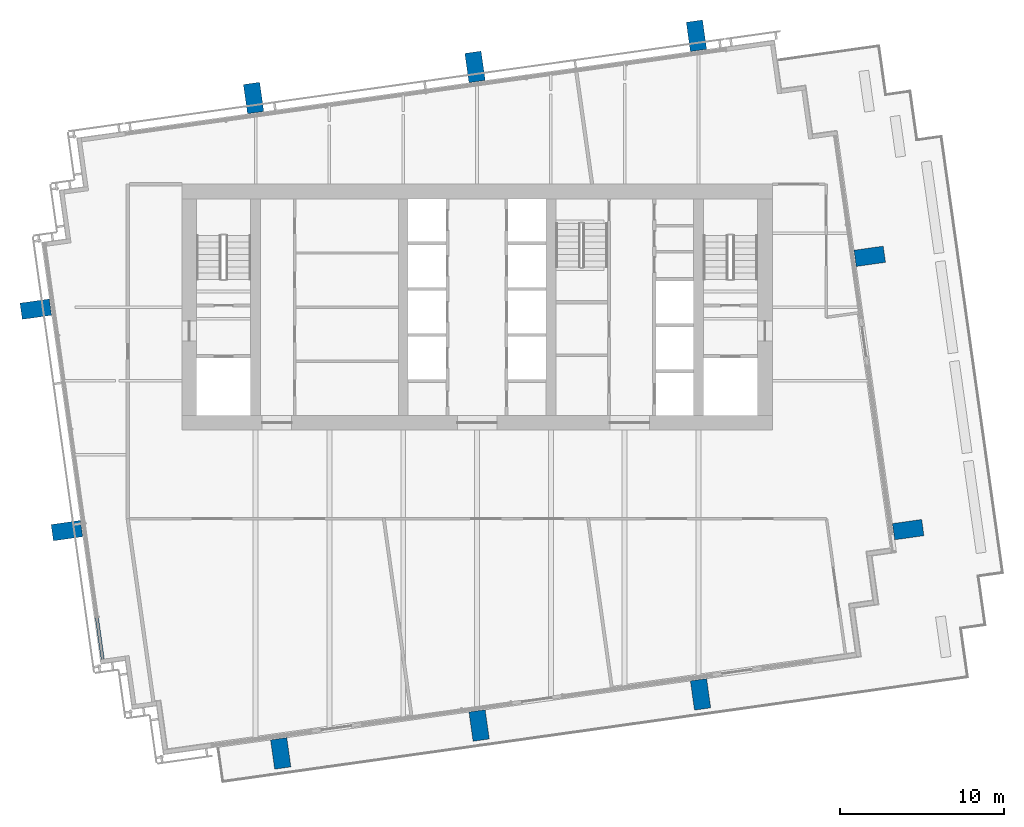
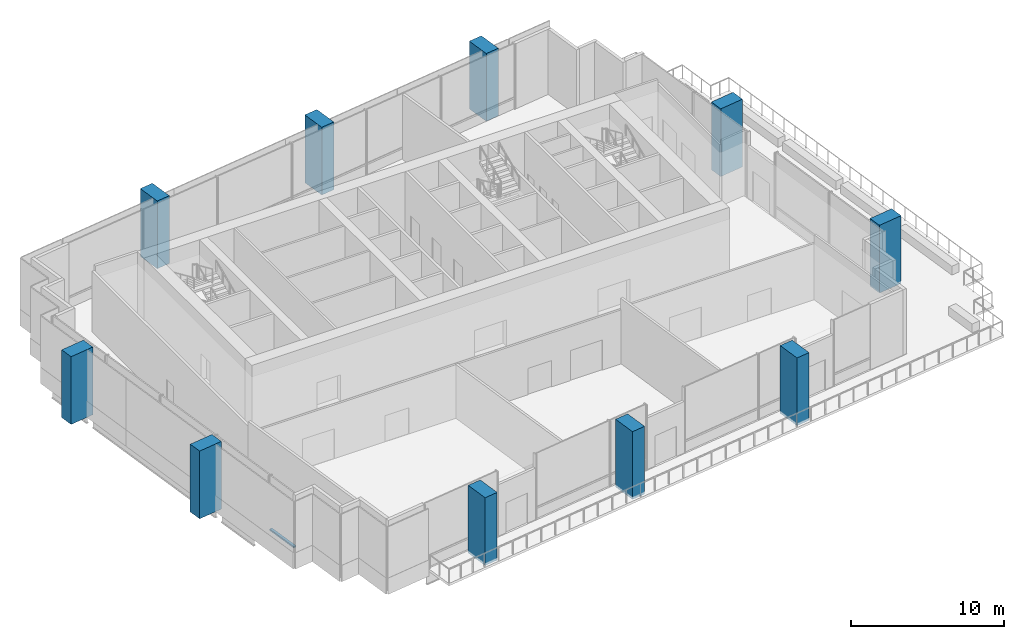
# One storey, part 1 of 14: 10 columns, 1 member, 1 element without a shape of its own.
"""IFC4 building model written with IfcOpenShell, lengths in metres."""

from ifc_helpers import new_model, si_unit, direction, frame, origin, origin_2d, place, context, subcontext, project, spatial, rectangle, extrude, material, layer, layer_set, material_profile, profile_set, type_object, element, aggregate, save


model = new_model("IFC4")

# Units and contexts
model_context = context("Model", 3, precision=1e-05, world=origin(), true_north=direction((0.0, 1.0)))
body_context = subcontext(model_context, "Body", "Model", "MODEL_VIEW")
ifc_project = project(units=[si_unit("LENGTHUNIT", "METRE"), si_unit("AREAUNIT", "SQUARE_METRE"), si_unit("VOLUMEUNIT", "CUBIC_METRE"), si_unit("PLANEANGLEUNIT", "RADIAN"), si_unit("MASSUNIT", "GRAM", prefix="KILO")], contexts=[model_context])

# Site, building, storey
site_placement = place(None, origin())
site = spatial("IfcSite", under=ifc_project, at=site_placement, CompositionType="ELEMENT")
building_placement = place(site_placement, origin())
building = spatial("IfcBuilding", under=site, at=building_placement, Name="Rattan Terrace Tower", CompositionType="ELEMENT")
storey_placement = place(building_placement, frame((0.0, 0.0, 249.699951171875)))
storey = spatial("IfcBuildingStorey", under=building, at=storey_placement, Name="L57", CompositionType="ELEMENT", Elevation=249.699951171875)

# Columns
ifc_material_1 = material(Name="Concrete C40/50", Category="concrete")
ifc_material_profile_1 = material_profile(ifc_material_1, rectangle(XDim=1.0, YDim=1.800048828125, at=origin_2d()), Name="CFT 1800x1000")
ifc_profile_set_1 = profile_set([ifc_material_profile_1], Name="Concrete C40/50")
column_type = type_object("IfcColumnType", Name="Frame exoskeleton column CFT 1800x1000", PredefinedType="COLUMN", material=ifc_profile_set_1)
for number, where, z_axis, x_axis, name in (
    (1, (-11.970947265625, -27.208984375, -0.199951171875), (0.0, 0.0, 1.0), (0.990265639562, 0.139190384377, 0.0), "exo-L57-001"),
    (2, (0.125, -25.508056640625, -0.199951171875), (0.0, 0.0, 1.0), (0.990265639562, 0.139190384377, 0.0), "exo-L57-002"),
    (3, (13.625, -23.610107421875, -0.199951171875), (0.0, 0.0, 1.0), (0.990265639562, 0.139190384377, 0.0), "exo-L57-003"),
    (4, (-25.007080078125, -13.625, -0.199951171875), (0.0, 0.0, 1.0), (-0.139190384377, 0.990265639562, 0.0), "exo-L57-004"),
    (5, (26.283935546875, -13.56494140625, -0.199951171875), (0.0, 0.0, 1.0), (-0.139190384377, 0.990265639562, 0.0), "exo-L57-005"),
    (6, (-26.906005859375, -0.125, -0.199951171875), (0.0, 0.0, 1.0), (-0.139190384377, 0.990265639562, 0.0), "exo-L57-006"),
    (7, (23.94091796875, 3.10009765625, -0.199951171875), (0.0, 0.0, 1.0), (-0.139190384377, 0.990265639562, 0.0), "exo-L57-007"),
    (8, (-13.625, 12.7509765625, -0.199951171875), (0.0, 0.0, 1.0), (0.990265639562, 0.139190384377, 0.0), "exo-L57-008"),
    (9, (-0.125, 14.64794921875, -0.199951171875), (0.0, 0.0, 1.0), (0.990265639562, 0.139190384377, 0.0), "exo-L57-009"),
    (10, (13.375, 16.5458984375, -0.199951171875), (0.0, 0.0, 1.0), (0.990265639562, 0.139190384377, 0.0), "exo-L57-010"),
):
    element("IfcColumn", number, at=place(storey_placement, frame(where, z_axis=z_axis, x_axis=x_axis)), inside=storey, type_object=column_type, Name=name, PredefinedType="COLUMN", context=body_context, shape_type="SweptSolid", body=[
        extrude(rectangle(XDim=1.0, YDim=1.800048828125, at=origin_2d()), origin(), (0.0, 0.0, 1.0), 5.39990234375),
    ])

# Curtain wall, member
ifc_material_2 = material(Name="Steel fins, aluminium and glass", Category="steel")
ifc_layer = layer(ifc_material_2, 0.300048828125)
ifc_layer_set = layer_set([ifc_layer], Name="Sky Lobby Stick Curtain Wall")
curtain_wall_type = type_object("IfcCurtainWallType", Name="Sky Lobby Stick Curtain Wall", PredefinedType="NOTDEFINED", material=ifc_layer_set)
curtain_wall_placement = place(storey_placement, origin())
curtain_wall = element("IfcCurtainWall", 11, at=curtain_wall_placement, inside=storey, type_object=curtain_wall_type, Name="Sky lobby curtain wall L57-4", PredefinedType="NOTDEFINED")
ifc_material_3 = material(Name="Aluminium", Category="aluminium")
ifc_material_profile_2 = material_profile(ifc_material_3, rectangle(XDim=0.199951171875, YDim=0.1201171875, at=origin_2d()), Name="Aluminium 200x120")
ifc_profile_set_2 = profile_set([ifc_material_profile_2], Name="Aluminium")
member_type = type_object("IfcMemberType", Name="Sky Lobby CW Transom 200x120", PredefinedType="USERDEFINED", material=ifc_profile_set_2)
member_placement = place(storey_placement, frame((-23.18017578125, -18.93896484375, 0.900146484375), z_axis=(0.139225528951, -0.990260699053, 0.0), x_axis=(0.990260699053, 0.139225528951, 0.0)))
member = element("IfcMember", 12, at=member_placement, type_object=member_type, Name="Transom cwl-L57-004.5", ObjectType="TRANSOM", PredefinedType="USERDEFINED", context=body_context, shape_type="SweptSolid", body=[
    extrude(rectangle(XDim=0.199951171875, YDim=0.1201171875, at=origin_2d()), origin(), (0.0, 0.0, 1.0), 2.55322265625),
])
aggregate(curtain_wall, [member])

save(model, "model.ifc")
